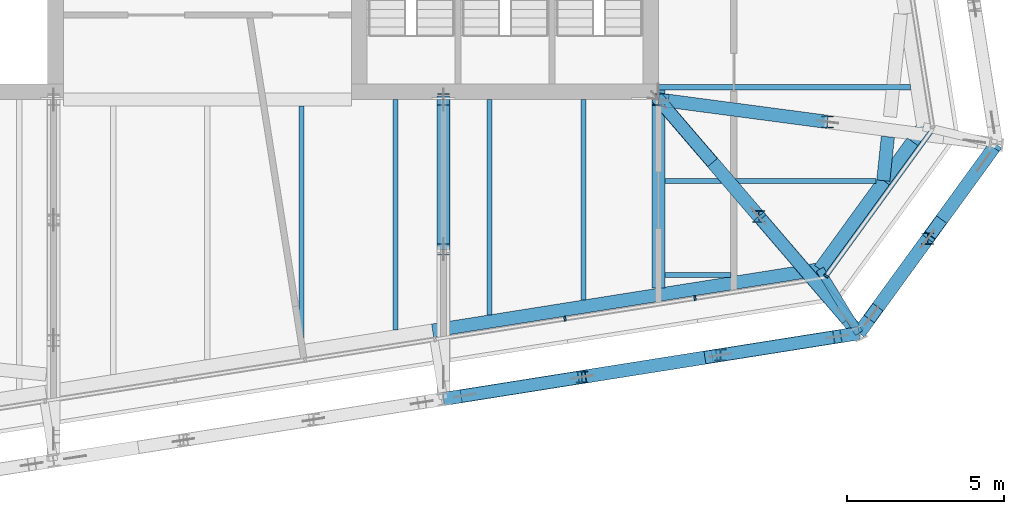
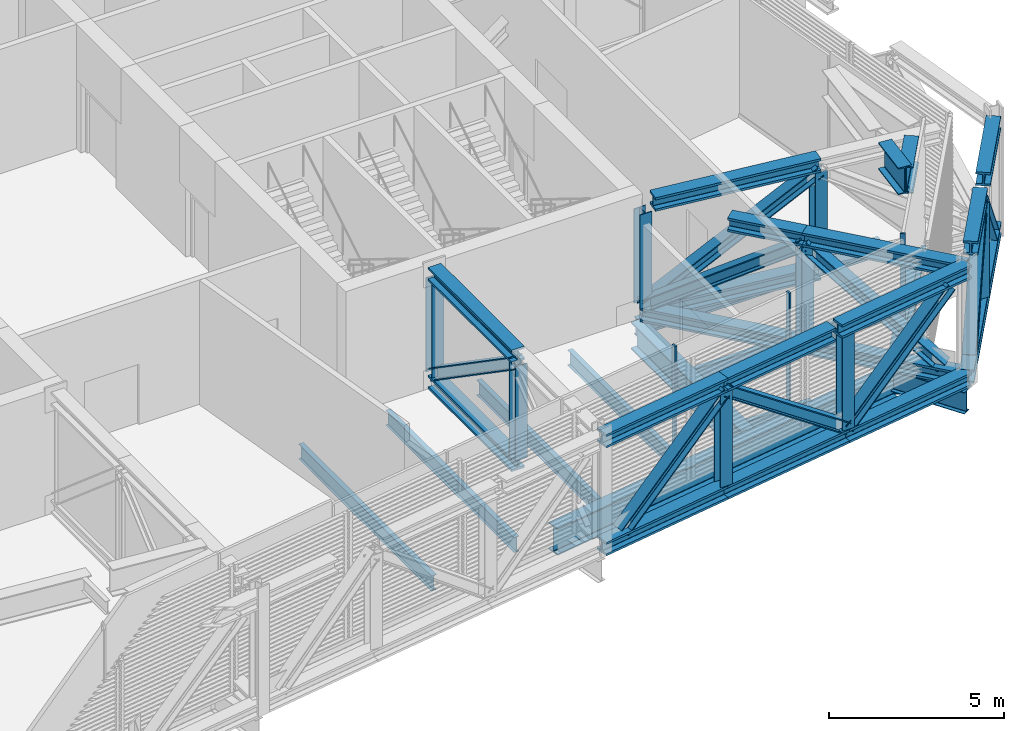
# One storey, part 9 of 32: 31 beams, 21 members, 2 elements without a shape of their own.
"""IFC4 building model written with IfcOpenShell, lengths in metres."""

from ifc_helpers import new_model, si_unit, direction, frame, origin, origin_2d, place, context, subcontext, project, spatial, rectangle, i_section, extrude, material, layer, layer_set, material_profile, profile_set, type_object, element, aggregate, save


model = new_model("IFC4")

# Units and contexts
model_context = context("Model", 3, precision=1e-05, world=origin(), true_north=direction((0.0, 1.0)))
body_context = subcontext(model_context, "Body", "Model", "MODEL_VIEW")
ifc_project = project(units=[si_unit("LENGTHUNIT", "METRE"), si_unit("AREAUNIT", "SQUARE_METRE"), si_unit("VOLUMEUNIT", "CUBIC_METRE"), si_unit("PLANEANGLEUNIT", "RADIAN"), si_unit("MASSUNIT", "GRAM", prefix="KILO")], contexts=[model_context])

# Site, building, storey
site_placement = place(None, origin())
site = spatial("IfcSite", under=ifc_project, at=site_placement, CompositionType="ELEMENT")
building_placement = place(site_placement, origin())
building = spatial("IfcBuilding", under=site, at=building_placement, Name="Millrace Tower", CompositionType="ELEMENT")
storey_placement = place(building_placement, frame((0.0, 0.0, 266.89990234375)))
storey = spatial("IfcBuildingStorey", under=building, at=storey_placement, Name="L61", CompositionType="ELEMENT", Elevation=266.89990234375)

# Beams
ifc_material_1 = material(Name="Steel ASTM A992 Grade 50", Category="steel")
ifc_material_profile_1 = material_profile(ifc_material_1, i_section(OverallWidth=0.424072265625, OverallDepth=0.47509765625, WebThickness=0.0478515625, FlangeThickness=0.0771484375, FilletRadius=0.014892578125, at=origin_2d()))
ifc_profile_set_1 = profile_set([ifc_material_profile_1], Name="Steel ASTM A992 Grade 50")
beam_type_1 = type_object("IfcBeamType", Name="Belt truss chord W14x426", PredefinedType="BEAM", material=ifc_profile_set_1)
for number, where, z_axis, x_axis, name in (
    (1, (7.533203125, -18.956787109375, 0.237548828125), (0.987681461746, 0.156477890206, 0.0), (-0.156477890206, 0.987681461746, 0.0), "BLT-L61-R04-B01"),
    (2, (7.533203125, -18.956787109375, 4.002685546875), (0.987681461746, 0.156477890206, 0.0), (-0.156477890206, 0.987681461746, 0.0), "BLT-L61-R04-T01"),
):
    element("IfcBeam", number, at=place(storey_placement, frame(where, z_axis=z_axis, x_axis=x_axis)), inside=storey, type_object=beam_type_1, Name=name, PredefinedType="BEAM", context=body_context, shape_type="SweptSolid", body=[
        extrude(i_section(OverallWidth=0.424072265625, OverallDepth=0.47509765625, WebThickness=0.0478515625, FlangeThickness=0.0771484375, FilletRadius=0.014892578125, at=origin_2d()), origin(), (0.0, 0.0, 1.0), 4.476318359375),
    ])
beam_1_placement = place(storey_placement, frame((11.954345703125, -18.25634765625, 0.237548828125), z_axis=(0.987688555037, 0.156433111103, 0.0), x_axis=(-0.156433111103, 0.987688555037, 0.0)))
element("IfcBeam", 3, at=beam_1_placement, inside=storey, type_object=beam_type_1, Name="BLT-L61-R04-B02", PredefinedType="BEAM", context=body_context, shape_type="SweptSolid", body=[
    extrude(i_section(OverallWidth=0.424072265625, OverallDepth=0.47509765625, WebThickness=0.0478515625, FlangeThickness=0.0771484375, FilletRadius=0.014892578125, at=origin_2d()), origin(), (0.0, 0.0, 1.0), 4.47607421875),
])
beam_2_placement = place(storey_placement, frame((16.375244140625, -17.55615234375, 0.237548828125), z_axis=(0.9876898897, 0.156424684061, 0.0), x_axis=(-0.156424684061, 0.9876898897, 0.0)))
element("IfcBeam", 4, at=beam_2_placement, inside=storey, type_object=beam_type_1, Name="BLT-L61-R04-B03", PredefinedType="BEAM", context=body_context, shape_type="SweptSolid", body=[
    extrude(i_section(OverallWidth=0.424072265625, OverallDepth=0.47509765625, WebThickness=0.0478515625, FlangeThickness=0.0771484375, FilletRadius=0.014892578125, at=origin_2d()), origin(), (0.0, 0.0, 1.0), 4.476318359375),
])
beam_3_placement = place(storey_placement, frame((16.102783203125, -17.599365234375, 4.002685546875), z_axis=(0.987687871185, 0.156437428752, 0.0), x_axis=(-0.156437428752, 0.987687871185, 0.0)))
element("IfcBeam", 5, at=beam_3_placement, inside=storey, type_object=beam_type_1, Name="BLT-L61-R04-T03", PredefinedType="BEAM", context=body_context, shape_type="SweptSolid", body=[
    extrude(i_section(OverallWidth=0.424072265625, OverallDepth=0.47509765625, WebThickness=0.0478515625, FlangeThickness=0.0771484375, FilletRadius=0.014892578125, at=origin_2d()), origin(), (0.0, 0.0, 1.0), 4.752197265625),
])
for number, where, z_axis, x_axis, name in (
    (6, (20.79638671875, -16.85595703125, 0.237548828125), (0.587774393355, 0.809024883744, 0.0), (-0.809024883744, 0.587774393355, 0.0), "BLT-L61-R05-B01"),
    (7, (22.9873046875, -13.84033203125, 0.237548828125), (0.587817260373, 0.808993738176, 0.0), (-0.808993738176, 0.587817260373, 0.0), "BLT-L61-R05-B02"),
):
    element("IfcBeam", number, at=place(storey_placement, frame(where, z_axis=z_axis, x_axis=x_axis)), inside=storey, type_object=beam_type_1, Name=name, PredefinedType="BEAM", context=body_context, shape_type="SweptSolid", body=[
        extrude(i_section(OverallWidth=0.424072265625, OverallDepth=0.47509765625, WebThickness=0.0478515625, FlangeThickness=0.0771484375, FilletRadius=0.014892578125, at=origin_2d()), origin(), (0.0, 0.0, 1.0), 3.7275390625),
    ])
beam_4_placement = place(storey_placement, frame((11.954345703125, -18.25634765625, 4.002685546875), z_axis=(0.987691630834, 0.156413689874, 0.0), x_axis=(-0.156413689874, 0.987691630834, 0.0)))
element("IfcBeam", 8, at=beam_4_placement, inside=storey, type_object=beam_type_1, Name="BLT-L61-R04-T02", PredefinedType="BEAM", context=body_context, shape_type="SweptSolid", body=[
    extrude(i_section(OverallWidth=0.424072265625, OverallDepth=0.47509765625, WebThickness=0.0478515625, FlangeThickness=0.0771484375, FilletRadius=0.014892578125, at=origin_2d()), origin(), (0.0, 0.0, 1.0), 3.973876953125),
])
beam_5_placement = place(storey_placement, frame((21.401123046875, -16.023681640625, 4.002685546875), z_axis=(0.58775743308, 0.809037205485, 0.0), x_axis=(-0.809037205485, 0.58775743308, 0.0)))
element("IfcBeam", 9, at=beam_5_placement, inside=storey, type_object=beam_type_1, Name="BLT-L61-R05-T01", PredefinedType="BEAM", context=body_context, shape_type="SweptSolid", body=[
    extrude(i_section(OverallWidth=0.424072265625, OverallDepth=0.47509765625, WebThickness=0.0478515625, FlangeThickness=0.0771484375, FilletRadius=0.014892578125, at=origin_2d()), origin(), (0.0, 0.0, 1.0), 2.69873046875),
])
beam_6_placement = place(storey_placement, frame((23.431884765625, -13.228515625, 4.002685546875), z_axis=(0.587793188732, 0.809011228155, 0.0), x_axis=(-0.809011228155, 0.587793188732, 0.0)))
element("IfcBeam", 10, at=beam_6_placement, inside=storey, type_object=beam_type_1, Name="BLT-L61-R05-T02", PredefinedType="BEAM", context=body_context, shape_type="SweptSolid", body=[
    extrude(i_section(OverallWidth=0.424072265625, OverallDepth=0.47509765625, WebThickness=0.0478515625, FlangeThickness=0.0771484375, FilletRadius=0.014892578125, at=origin_2d()), origin(), (0.0, 0.0, 1.0), 2.838623046875),
])

# Members
ifc_material_2 = material(Name="Steel ASTM A992 Grade 50", Category="steel")
ifc_material_profile_2 = material_profile(ifc_material_2, i_section(OverallWidth=0.398681640625, OverallDepth=0.385986328125, WebThickness=0.02099609375, FlangeThickness=0.033203125, FilletRadius=0.01513671875, at=origin_2d()))
ifc_profile_set_2 = profile_set([ifc_material_profile_2], Name="Steel ASTM A992 Grade 50")
member_type_1 = type_object("IfcMemberType", Name="Belt truss diagonal W14x176", PredefinedType="BRACE", material=ifc_profile_set_2)
member_1_placement = place(storey_placement, frame((8.224609375, -18.84716796875, 0.47509765625), z_axis=(0.744691898166, 0.117965202171, 0.656900439856), x_axis=(-0.156457227145, 0.987684735163, 0.0)))
element("IfcMember", 11, at=member_1_placement, inside=storey, type_object=member_type_1, Name="BLT-L61-R04-D01", PredefinedType="BRACE", context=body_context, shape_type="SweptSolid", body=[
    extrude(i_section(OverallWidth=0.398681640625, OverallDepth=0.385986328125, WebThickness=0.02099609375, FlangeThickness=0.033203125, FilletRadius=0.01513671875, at=origin_2d()), origin(), (0.0, 0.0, 1.0), 5.008544921875),
])
member_2_placement = place(storey_placement, frame((16.375244140625, -17.55615234375, 0.47509765625), z_axis=(-0.795829072017, -0.126045823865, 0.59225715565), x_axis=(0.156433111103, -0.987688555037, 0.0)))
element("IfcMember", 12, at=member_2_placement, inside=storey, type_object=member_type_1, Name="BLT-L61-R04-D02", PredefinedType="BRACE", context=body_context, shape_type="SweptSolid", body=[
    extrude(i_section(OverallWidth=0.398681640625, OverallDepth=0.385986328125, WebThickness=0.02099609375, FlangeThickness=0.033203125, FilletRadius=0.01513671875, at=origin_2d()), origin(), (0.0, 0.0, 1.0), 5.55517578125),
])
member_3_placement = place(storey_placement, frame((16.375244140625, -17.55615234375, 0.47509765625), z_axis=(0.744696179539, 0.117917134143, 0.6569042165), x_axis=(-0.156394157043, 0.987694723912, 0.0)))
element("IfcMember", 13, at=member_3_placement, inside=storey, type_object=member_type_1, Name="BLT-L61-R04-D03", PredefinedType="BRACE", context=body_context, shape_type="SweptSolid", body=[
    extrude(i_section(OverallWidth=0.398681640625, OverallDepth=0.385986328125, WebThickness=0.02099609375, FlangeThickness=0.033203125, FilletRadius=0.01513671875, at=origin_2d()), origin(), (0.0, 0.0, 1.0), 5.00830078125),
])
for number, where, z_axis, x_axis, name in (
    (14, (21.207763671875, -16.289794921875, 0.47509765625), (0.398007112135, 0.547839944581, 0.735840834564), (-0.809032377573, 0.587764078554, 0.0), "BLT-L61-R05-D01"),
    (15, (24.766845703125, -11.390869140625, 0.47509765625), (-0.398007112135, -0.547839944581, 0.735840834564), (0.809032377573, -0.587764078554, 0.0), "BLT-L61-R05-D02"),
):
    element("IfcMember", number, at=place(storey_placement, frame(where, z_axis=z_axis, x_axis=x_axis)), inside=storey, type_object=member_type_1, Name=name, PredefinedType="BRACE", context=body_context, shape_type="SweptSolid", body=[
        extrude(i_section(OverallWidth=0.398681640625, OverallDepth=0.385986328125, WebThickness=0.02099609375, FlangeThickness=0.033203125, FilletRadius=0.01513671875, at=origin_2d()), origin(), (0.0, 0.0, 1.0), 4.47119140625),
    ])
ifc_material_3 = material(Name="Steel ASTM A992 Grade 50", Category="steel")
ifc_material_profile_3 = material_profile(ifc_material_3, i_section(OverallWidth=0.393798828125, OverallDepth=0.3759765625, WebThickness=0.017333984375, FlangeThickness=0.027587890625, FilletRadius=0.01513671875, at=origin_2d()))
ifc_profile_set_3 = profile_set([ifc_material_profile_3], Name="Steel ASTM A992 Grade 50")
member_type_2 = type_object("IfcMemberType", Name="Belt truss post W14x145", PredefinedType="POST", material=ifc_profile_set_3)
for number, where, z_axis, x_axis, name in (
    (16, (11.954345703125, -18.25634765625, 0.47509765625), (0.0, 0.0, 1.0), (1.0, 0.0, 0.0), "BLT-L61-R04-V01"),
    (17, (16.375244140625, -17.55615234375, 0.47509765625), (0.0, 0.0, 1.0), (1.0, 0.0, 0.0), "BLT-L61-R04-V02"),
    (18, (22.9873046875, -13.84033203125, 0.47509765625), (0.0, 0.0, 1.0), (1.0, 0.0, 0.0), "BLT-L61-R05-V01"),
):
    element("IfcMember", number, at=place(storey_placement, frame(where, z_axis=z_axis, x_axis=x_axis)), inside=storey, type_object=member_type_2, Name=name, PredefinedType="POST", context=body_context, shape_type="SweptSolid", body=[
        extrude(i_section(OverallWidth=0.393798828125, OverallDepth=0.3759765625, WebThickness=0.017333984375, FlangeThickness=0.027587890625, FilletRadius=0.01513671875, at=origin_2d()), origin(), (0.0, 0.0, 1.0), 3.2900390625),
    ])

# Curtain wall, members
ifc_material_4 = material(Name="Aluminium and glass", Category="aluminium")
ifc_layer = layer(ifc_material_4, 0.14990234375)
ifc_layer_set = layer_set([ifc_layer], Name="Aluminium and glass")
curtain_wall_type = type_object("IfcCurtainWallType", Name="CW-5 truss and plant storey louvred infill", PredefinedType="NOTDEFINED", material=ifc_layer_set)
placement = place(storey_placement, origin())
curtain_wall_1 = element("IfcCurtainWall", 19, at=placement, inside=storey, type_object=curtain_wall_type, Name="Curtain wall D-F02 L61", PredefinedType="NOTDEFINED")
ifc_material_5 = material(Name="Aluminium", Category="aluminium")
ifc_material_profile_4 = material_profile(ifc_material_5, rectangle(XDim=0.06494140625, YDim=0.14990234375, at=origin_2d()))
ifc_profile_set_4 = profile_set([ifc_material_profile_4], Name="Aluminium")
member_type_3 = type_object("IfcMemberType", Name="CW-5 truss and plant storey louvred infill mullion", PredefinedType="MULLION", material=ifc_profile_set_4)
member_4_placement = place(storey_placement, frame((11.41259765625, -16.393310546875, 0.14013671875), z_axis=(0.0, 0.0, 1.0), x_axis=(0.987688339511, 0.156434471884, 0.0)))
member_4 = element("IfcMember", 20, at=member_4_placement, type_object=member_type_3, Name="CW5 mullion D-F02.8", PredefinedType="MULLION", context=body_context, shape_type="SweptSolid", body=[
    extrude(rectangle(XDim=0.06494140625, YDim=0.14990234375, at=origin_2d()), origin(), (0.0, 0.0, 1.0), 4.199951171875),
])
member_5_placement = place(storey_placement, frame((15.560791015625, -15.736328125, 0.14013671875), z_axis=(0.0, 0.0, 1.0), x_axis=(0.987688339511, 0.156434471884, 0.0)))
member_5 = element("IfcMember", 21, at=member_5_placement, type_object=member_type_3, Name="CW5 mullion D-F02.9", PredefinedType="MULLION", context=body_context, shape_type="SweptSolid", body=[
    extrude(rectangle(XDim=0.06494140625, YDim=0.14990234375, at=origin_2d()), origin(), (0.0, 0.0, 1.0), 4.199951171875),
])
aggregate(curtain_wall_1, [member_4, member_5])

curtain_wall_2 = element("IfcCurtainWall", 22, at=placement, inside=storey, type_object=curtain_wall_type, Name="Curtain wall D-F03 L61", PredefinedType="NOTDEFINED")
member_6_placement = place(storey_placement, frame((19.7451171875, -15.028076171875, 0.14013671875), z_axis=(0.0, 0.0, 1.0), x_axis=(0.587785305991, 0.809016955361, 0.0)))
member_6 = element("IfcMember", 23, at=member_6_placement, type_object=member_type_3, Name="CW5 mullion D-F03.1", PredefinedType="MULLION", context=body_context, shape_type="SweptSolid", body=[
    extrude(rectangle(XDim=0.06494140625, YDim=0.14990234375, at=origin_2d()), origin(), (0.0, 0.0, 1.0), 4.35986328125),
])
ifc_material_6 = material(Name="Aluminium", Category="aluminium")
ifc_material_profile_5 = material_profile(ifc_material_6, rectangle(XDim=0.14990234375, YDim=0.139892578125, at=origin_2d()))
ifc_profile_set_5 = profile_set([ifc_material_profile_5], Name="Aluminium")
member_type_4 = type_object("IfcMemberType", Name="CW-5 truss and plant storey louvred infill transom", PredefinedType="USERDEFINED", material=ifc_profile_set_5)
member_7_placement = place(storey_placement, frame((19.78466796875, -14.973388671875, 0.070068359375), z_axis=(0.587811213399, 0.808998131891, 0.0), x_axis=(-0.808998131891, 0.587811213399, 0.0)))
member_7 = element("IfcMember", 24, at=member_7_placement, type_object=member_type_4, Name="CW5 transom D-F03.1", ObjectType="TRANSOM", PredefinedType="USERDEFINED", context=body_context, shape_type="SweptSolid", body=[
    extrude(rectangle(XDim=0.14990234375, YDim=0.139892578125, at=origin_2d()), origin(), (0.0, 0.0, 1.0), 5.598388671875),
])
aggregate(curtain_wall_2, [member_6, member_7])

# Beams
ifc_material_7 = material(Name="Steel ASTM A992 Grade 50", Category="steel")
ifc_material_profile_6 = material_profile(ifc_material_7, i_section(OverallWidth=0.15234375, OverallDepth=0.449462890625, WebThickness=0.007568359375, FlangeThickness=0.0107421875, FilletRadius=0.01025390625, at=origin_2d()))
ifc_profile_set_6 = profile_set([ifc_material_profile_6], Name="Steel ASTM A992 Grade 50")
beam_type_2 = type_object("IfcBeamType", Name="Floor beam W18x35", PredefinedType="JOIST", material=ifc_profile_set_6)
beam_7_placement = place(storey_placement, frame((14.612060546875, -15.0, -0.474609375), z_axis=(1.0, 0.0, 0.0), x_axis=(0.0, 1.0, 0.0)))
element("IfcBeam", 25, at=beam_7_placement, inside=storey, type_object=beam_type_2, Name="BM-D-L61-S1-S003", PredefinedType="JOIST", context=body_context, shape_type="SweptSolid", body=[
    extrude(i_section(OverallWidth=0.15234375, OverallDepth=0.449462890625, WebThickness=0.007568359375, FlangeThickness=0.0107421875, FilletRadius=0.01025390625, at=origin_2d()), origin(), (0.0, 0.0, 1.0), 2.1064453125),
])
ifc_material_8 = material(Name="Steel ASTM A992 Grade 50", Category="steel")
ifc_material_profile_7 = material_profile(ifc_material_8, i_section(OverallWidth=0.1650390625, OverallDepth=0.52587890625, WebThickness=0.0087890625, FlangeThickness=0.011474609375, FilletRadius=0.0126953125, at=origin_2d()))
ifc_profile_set_7 = profile_set([ifc_material_profile_7], Name="Steel ASTM A992 Grade 50")
beam_type_3 = type_object("IfcBeamType", Name="Floor beam W21x44", PredefinedType="JOIST", material=ifc_profile_set_7)
beam_8_placement = place(storey_placement, frame((14.612060546875, -12.0, -0.5126953125), z_axis=(1.0, 0.0, 0.0), x_axis=(0.0, 1.0, 0.0)))
element("IfcBeam", 26, at=beam_8_placement, inside=storey, type_object=beam_type_3, Name="BM-D-L61-S1-S005", PredefinedType="JOIST", context=body_context, shape_type="SweptSolid", body=[
    extrude(i_section(OverallWidth=0.1650390625, OverallDepth=0.52587890625, WebThickness=0.0087890625, FlangeThickness=0.011474609375, FilletRadius=0.0126953125, at=origin_2d()), origin(), (0.0, 0.0, 1.0), 6.71923828125),
])
beam_9_placement = place(storey_placement, frame((3.0, -17.222900390625, -0.5126953125), z_axis=(0.0, 1.0, 0.0), x_axis=(-1.0, 0.0, 0.0)))
element("IfcBeam", 27, at=beam_9_placement, inside=storey, type_object=beam_type_3, Name="BM-D-L61-S1-S047", PredefinedType="JOIST", context=body_context, shape_type="SweptSolid", body=[
    extrude(i_section(OverallWidth=0.1650390625, OverallDepth=0.52587890625, WebThickness=0.0087890625, FlangeThickness=0.011474609375, FilletRadius=0.0126953125, at=origin_2d()), origin(), (0.0, 0.0, 1.0), 7.61083984375),
])
beam_10_placement = place(storey_placement, frame((6.0, -16.747802734375, -0.5126953125), z_axis=(0.0, 1.0, 0.0), x_axis=(-1.0, 0.0, 0.0)))
element("IfcBeam", 28, at=beam_10_placement, inside=storey, type_object=beam_type_3, Name="BM-D-L61-S1-S049", PredefinedType="JOIST", context=body_context, shape_type="SweptSolid", body=[
    extrude(i_section(OverallWidth=0.1650390625, OverallDepth=0.52587890625, WebThickness=0.0087890625, FlangeThickness=0.011474609375, FilletRadius=0.0126953125, at=origin_2d()), origin(), (0.0, 0.0, 1.0), 7.347900390625),
])
beam_11_placement = place(storey_placement, frame((9.0, -16.2724609375, -0.5126953125), z_axis=(0.0, 1.0, 0.0), x_axis=(-1.0, 0.0, 0.0)))
element("IfcBeam", 29, at=beam_11_placement, inside=storey, type_object=beam_type_3, Name="BM-D-L61-S1-S051", PredefinedType="JOIST", context=body_context, shape_type="SweptSolid", body=[
    extrude(i_section(OverallWidth=0.1650390625, OverallDepth=0.52587890625, WebThickness=0.0087890625, FlangeThickness=0.011474609375, FilletRadius=0.0126953125, at=origin_2d()), origin(), (0.0, 0.0, 1.0), 6.87255859375),
])
beam_12_placement = place(storey_placement, frame((12.0, -15.79736328125, -0.5126953125), z_axis=(0.0, 1.0, 0.0), x_axis=(-1.0, 0.0, 0.0)))
element("IfcBeam", 30, at=beam_12_placement, inside=storey, type_object=beam_type_3, Name="BM-D-L61-S1-S053", PredefinedType="JOIST", context=body_context, shape_type="SweptSolid", body=[
    extrude(i_section(OverallWidth=0.1650390625, OverallDepth=0.52587890625, WebThickness=0.0087890625, FlangeThickness=0.011474609375, FilletRadius=0.0126953125, at=origin_2d()), origin(), (0.0, 0.0, 1.0), 6.3974609375),
])
ifc_material_9 = material(Name="Steel ASTM A992 Grade 50", Category="steel")
ifc_material_profile_8 = material_profile(ifc_material_9, i_section(OverallWidth=0.177978515625, OverallDepth=0.599365234375, WebThickness=0.010009765625, FlangeThickness=0.012939453125, FilletRadius=0.012939453125, at=origin_2d()))
ifc_profile_set_8 = profile_set([ifc_material_profile_8], Name="Steel ASTM A992 Grade 50")
beam_type_4 = type_object("IfcBeamType", Name="Floor beam W24x55", PredefinedType="JOIST", material=ifc_profile_set_8)
beam_13_placement = place(storey_placement, frame((14.39990234375, -9.0, -0.549560546875), z_axis=(1.0, 0.0, 0.0), x_axis=(0.0, 1.0, 0.0)))
element("IfcBeam", 31, at=beam_13_placement, inside=storey, type_object=beam_type_4, Name="BM-D-L61-S1-S007", PredefinedType="JOIST", context=body_context, shape_type="SweptSolid", body=[
    extrude(i_section(OverallWidth=0.177978515625, OverallDepth=0.599365234375, WebThickness=0.010009765625, FlangeThickness=0.012939453125, FilletRadius=0.012939453125, at=origin_2d()), origin(), (0.0, 0.0, 1.0), 8.03759765625),
])
ifc_material_10 = material(Name="Steel ASTM A992 Grade 50", Category="steel")
ifc_material_profile_9 = material_profile(ifc_material_10, i_section(OverallWidth=0.424072265625, OverallDepth=0.947509765625, WebThickness=0.02392578125, FlangeThickness=0.042724609375, FilletRadius=0.024169921875, at=origin_2d()))
ifc_profile_set_9 = profile_set([ifc_material_profile_9], Name="Steel ASTM A992 Grade 50")
beam_type_5 = type_object("IfcBeamType", Name="Girder short span W36x302", PredefinedType="BEAM", material=ifc_profile_set_9)
beam_14_placement = place(storey_placement, frame((14.39990234375, -15.4091796875, -0.7236328125), z_axis=(0.0, 1.0, 0.0), x_axis=(-1.0, 0.0, 0.0)))
element("IfcBeam", 32, at=beam_14_placement, inside=storey, type_object=beam_type_5, Name="BM-D-L61-S1-G057", PredefinedType="BEAM", context=body_context, shape_type="SweptSolid", body=[
    extrude(i_section(OverallWidth=0.424072265625, OverallDepth=0.947509765625, WebThickness=0.02392578125, FlangeThickness=0.042724609375, FilletRadius=0.024169921875, at=origin_2d()), origin(), (0.0, 0.0, 1.0), 6.317138671875),
])
ifc_material_11 = material(Name="Steel ASTM A992 Grade 50", Category="steel")
ifc_material_profile_10 = material_profile(ifc_material_11, i_section(OverallWidth=0.2666015625, OverallDepth=0.7568359375, WebThickness=0.013916015625, FlangeThickness=0.019287109375, FilletRadius=0.0166015625, at=origin_2d()))
ifc_profile_set_10 = profile_set([ifc_material_profile_10], Name="Steel ASTM A992 Grade 50")
beam_type_6 = type_object("IfcBeamType", Name="Link beam W30x108", PredefinedType="BEAM", material=ifc_profile_set_10)
beam_15_placement = place(storey_placement, frame((19.546142578125, -14.815673828125, -0.62841796875), z_axis=(0.522485496218, -0.852648172602, 0.0), x_axis=(0.852648172602, 0.522485496218, 0.0)))
element("IfcBeam", 33, at=beam_15_placement, inside=storey, type_object=beam_type_6, Name="LNK-D-L61-S1-13", PredefinedType="BEAM", context=body_context, shape_type="SweptSolid", body=[
    extrude(i_section(OverallWidth=0.2666015625, OverallDepth=0.7568359375, WebThickness=0.013916015625, FlangeThickness=0.019287109375, FilletRadius=0.0166015625, at=origin_2d()), origin(), (0.0, 0.0, 1.0), 2.392822265625),
])
ifc_material_12 = material(Name="Steel ASTM A992 Grade 50", Category="steel")
ifc_material_profile_11 = material_profile(ifc_material_12, i_section(OverallWidth=0.424072265625, OverallDepth=0.47509765625, WebThickness=0.0478515625, FlangeThickness=0.0771484375, FilletRadius=0.014892578125, at=origin_2d()))
ifc_profile_set_11 = profile_set([ifc_material_profile_11], Name="Steel ASTM A992 Grade 50")
beam_type_7 = type_object("IfcBeamType", Name="Outrigger truss chord W14x426", PredefinedType="BEAM", material=ifc_profile_set_11)
for number, where, z_axis, x_axis, name in (
    (34, (7.533203125, -9.39990234375, 0.237548828125), (0.0, -1.0, 0.0), (1.0, 0.0, 0.0), "BLT-L61-O04-B01"),
    (35, (7.533203125, -9.39990234375, 4.002685546875), (0.0, -1.0, 0.0), (1.0, 0.0, 0.0), "BLT-L61-O04-T01"),
):
    element("IfcBeam", number, at=place(storey_placement, frame(where, z_axis=z_axis, x_axis=x_axis)), inside=storey, type_object=beam_type_7, Name=name, PredefinedType="BEAM", context=body_context, shape_type="SweptSolid", body=[
        extrude(i_section(OverallWidth=0.424072265625, OverallDepth=0.47509765625, WebThickness=0.0478515625, FlangeThickness=0.0771484375, FilletRadius=0.014892578125, at=origin_2d()), origin(), (0.0, 0.0, 1.0), 4.7783203125),
    ])
for number, where, z_axis, x_axis, name in (
    (36, (14.39990234375, -9.39990234375, 0.237548828125), (0.651118772752, -0.758975851902, 0.0), (0.758975851902, 0.651118772752, 0.0), "BLT-L61-O05-B01"),
    (37, (17.59814453125, -13.1279296875, 0.237548828125), (0.651118772752, -0.758975851902, 0.0), (0.758975851902, 0.651118772752, 0.0), "BLT-L61-O05-B02"),
    (38, (17.59814453125, -13.1279296875, 4.002685546875), (0.651118772752, -0.758975851902, 0.0), (0.758975851902, 0.651118772752, 0.0), "BLT-L61-O05-T02"),
):
    element("IfcBeam", number, at=place(storey_placement, frame(where, z_axis=z_axis, x_axis=x_axis)), inside=storey, type_object=beam_type_7, Name=name, PredefinedType="BEAM", context=body_context, shape_type="SweptSolid", body=[
        extrude(i_section(OverallWidth=0.424072265625, OverallDepth=0.47509765625, WebThickness=0.0478515625, FlangeThickness=0.0771484375, FilletRadius=0.014892578125, at=origin_2d()), origin(), (0.0, 0.0, 1.0), 4.911865234375),
    ])
beam_16_placement = place(storey_placement, frame((14.39990234375, -9.39990234375, 0.237548828125), z_axis=(0.991376314871, -0.131045802346, 0.0), x_axis=(0.131045802346, 0.991376314871, 0.0)))
element("IfcBeam", 39, at=beam_16_placement, inside=storey, type_object=beam_type_7, Name="BLT-L61-O06-B01", PredefinedType="BEAM", context=body_context, shape_type="SweptSolid", body=[
    extrude(i_section(OverallWidth=0.424072265625, OverallDepth=0.47509765625, WebThickness=0.0478515625, FlangeThickness=0.0771484375, FilletRadius=0.014892578125, at=origin_2d()), origin(), (0.0, 0.0, 1.0), 5.436279296875),
])
beam_17_placement = place(storey_placement, frame((14.706787109375, -9.4404296875, 4.002685546875), z_axis=(0.991375340662, -0.131053172135, 0.0), x_axis=(0.131053172135, 0.991375340662, 0.0)))
element("IfcBeam", 40, at=beam_17_placement, inside=storey, type_object=beam_type_7, Name="BLT-L61-O06-T01", PredefinedType="BEAM", context=body_context, shape_type="SweptSolid", body=[
    extrude(i_section(OverallWidth=0.424072265625, OverallDepth=0.47509765625, WebThickness=0.0478515625, FlangeThickness=0.0771484375, FilletRadius=0.014892578125, at=origin_2d()), origin(), (0.0, 0.0, 1.0), 5.126708984375),
])
beam_18_placement = place(storey_placement, frame((16.122314453125, -11.40771484375, 4.002685546875), z_axis=(0.651137261179, -0.75895999045, 0.0), x_axis=(0.75895999045, 0.651137261179, 0.0)))
element("IfcBeam", 41, at=beam_18_placement, inside=storey, type_object=beam_type_7, Name="BLT-L61-O05-T01", PredefinedType="BEAM", context=body_context, shape_type="SweptSolid", body=[
    extrude(i_section(OverallWidth=0.424072265625, OverallDepth=0.47509765625, WebThickness=0.0478515625, FlangeThickness=0.0771484375, FilletRadius=0.014892578125, at=origin_2d()), origin(), (0.0, 0.0, 1.0), 2.2666015625),
])

# Members
ifc_material_13 = material(Name="Steel ASTM A992 Grade 50", Category="steel")
ifc_material_profile_12 = material_profile(ifc_material_13, i_section(OverallWidth=0.398681640625, OverallDepth=0.385986328125, WebThickness=0.02099609375, FlangeThickness=0.033203125, FilletRadius=0.01513671875, at=origin_2d()))
ifc_profile_set_12 = profile_set([ifc_material_profile_12], Name="Steel ASTM A992 Grade 50")
member_type_5 = type_object("IfcMemberType", Name="Outrigger truss diagonal W14x176", PredefinedType="BRACE", material=ifc_profile_set_12)
member_8_placement = place(storey_placement, frame((7.533203125, -9.39990234375, 0.47509765625), z_axis=(0.0, -0.823643888192, 0.567107349135), x_axis=(1.0, 0.0, 0.0)))
element("IfcMember", 42, at=member_8_placement, inside=storey, type_object=member_type_5, Name="BLT-L61-O04-D01", PredefinedType="BRACE", context=body_context, shape_type="SweptSolid", body=[
    extrude(i_section(OverallWidth=0.398681640625, OverallDepth=0.385986328125, WebThickness=0.02099609375, FlangeThickness=0.033203125, FilletRadius=0.01513671875, at=origin_2d()), origin(), (0.0, 0.0, 1.0), 5.801513671875),
])
member_9_placement = place(storey_placement, frame((14.39990234375, -9.39990234375, 0.47509765625), z_axis=(0.540978111176, -0.630590515852, 0.556505421848), x_axis=(0.758975851902, 0.651118772752, 0.0)))
element("IfcMember", 43, at=member_9_placement, inside=storey, type_object=member_type_5, Name="BLT-L61-O05-D01", PredefinedType="BRACE", context=body_context, shape_type="SweptSolid", body=[
    extrude(i_section(OverallWidth=0.398681640625, OverallDepth=0.385986328125, WebThickness=0.02099609375, FlangeThickness=0.033203125, FilletRadius=0.01513671875, at=origin_2d()), origin(), (0.0, 0.0, 1.0), 5.911865234375),
])
member_10_placement = place(storey_placement, frame((20.340576171875, -16.32470703125, 0.47509765625), z_axis=(-0.513122640039, 0.598132987507, 0.615582720303), x_axis=(-0.758982398737, -0.651111141363, 0.0)))
element("IfcMember", 44, at=member_10_placement, inside=storey, type_object=member_type_5, Name="BLT-L61-O05-D02", PredefinedType="BRACE", context=body_context, shape_type="SweptSolid", body=[
    extrude(i_section(OverallWidth=0.398681640625, OverallDepth=0.385986328125, WebThickness=0.02099609375, FlangeThickness=0.033203125, FilletRadius=0.01513671875, at=origin_2d()), origin(), (0.0, 0.0, 1.0), 5.344482421875),
])
member_11_placement = place(storey_placement, frame((14.39990234375, -9.39990234375, 0.47509765625), z_axis=(0.848146291309, -0.112112837057, 0.51776305421), x_axis=(0.131045802346, 0.991376314871, 0.0)))
element("IfcMember", 45, at=member_11_placement, inside=storey, type_object=member_type_5, Name="BLT-L61-O06-D01", PredefinedType="BRACE", context=body_context, shape_type="SweptSolid", body=[
    extrude(i_section(OverallWidth=0.398681640625, OverallDepth=0.385986328125, WebThickness=0.02099609375, FlangeThickness=0.033203125, FilletRadius=0.01513671875, at=origin_2d()), origin(), (0.0, 0.0, 1.0), 6.354248046875),
])
ifc_material_14 = material(Name="Steel ASTM A992 Grade 50", Category="steel")
ifc_material_profile_13 = material_profile(ifc_material_14, i_section(OverallWidth=0.393798828125, OverallDepth=0.3759765625, WebThickness=0.017333984375, FlangeThickness=0.027587890625, FilletRadius=0.01513671875, at=origin_2d()))
ifc_profile_set_13 = profile_set([ifc_material_profile_13], Name="Steel ASTM A992 Grade 50")
member_type_6 = type_object("IfcMemberType", Name="Outrigger truss post W14x145", PredefinedType="POST", material=ifc_profile_set_13)
for number, where, z_axis, x_axis, name in (
    (46, (7.533203125, -9.39990234375, 0.47509765625), (0.0, 0.0, 1.0), (1.0, 0.0, 0.0), "BLT-L61-O04-V00"),
    (47, (7.533203125, -14.17822265625, 0.47509765625), (0.0, 0.0, 1.0), (1.0, 0.0, 0.0), "BLT-L61-O04-V01"),
    (48, (14.39990234375, -9.39990234375, 0.47509765625), (0.0, 0.0, 1.0), (1.0, 0.0, 0.0), "BLT-L61-O05-V00"),
    (49, (17.59814453125, -13.1279296875, 0.47509765625), (0.0, 0.0, 1.0), (1.0, 0.0, 0.0), "BLT-L61-O05-V01"),
    (50, (19.789306640625, -10.1123046875, 0.47509765625), (0.0, 0.0, 1.0), (1.0, 0.0, 0.0), "BLT-L61-O06-V01"),
):
    element("IfcMember", number, at=place(storey_placement, frame(where, z_axis=z_axis, x_axis=x_axis)), inside=storey, type_object=member_type_6, Name=name, PredefinedType="POST", context=body_context, shape_type="SweptSolid", body=[
        extrude(i_section(OverallWidth=0.393798828125, OverallDepth=0.3759765625, WebThickness=0.017333984375, FlangeThickness=0.027587890625, FilletRadius=0.01513671875, at=origin_2d()), origin(), (0.0, 0.0, 1.0), 3.2900390625),
    ])

# Beams
ifc_material_15 = material(Name="Steel ASTM A992 Grade 50", Category="steel")
ifc_material_profile_14 = material_profile(ifc_material_15, i_section(OverallWidth=0.421630859375, OverallDepth=0.937255859375, WebThickness=0.021240234375, FlangeThickness=0.03662109375, FilletRadius=0.024169921875, at=origin_2d()))
ifc_profile_set_14 = profile_set([ifc_material_profile_14], Name="Steel ASTM A992 Grade 50")
beam_type_8 = type_object("IfcBeamType", Name="Ring beam medium span W36x262", PredefinedType="SPANDREL", material=ifc_profile_set_14)
beam_19_placement = place(storey_placement, frame((19.546142578125, -14.815673828125, -0.718505859375), z_axis=(-0.987690085295, -0.156423449039, 0.0), x_axis=(0.156423449039, -0.987690085295, 0.0)))
element("IfcBeam", 51, at=beam_19_placement, inside=storey, type_object=beam_type_8, Name="RNG-D-L61-S1-13", PredefinedType="SPANDREL", context=body_context, shape_type="SweptSolid", body=[
    extrude(i_section(OverallWidth=0.421630859375, OverallDepth=0.937255859375, WebThickness=0.021240234375, FlangeThickness=0.03662109375, FilletRadius=0.024169921875, at=origin_2d()), origin(), (0.0, 0.0, 1.0), 12.5126953125),
])
ifc_material_16 = material(Name="Steel ASTM A992 Grade 50", Category="steel")
ifc_material_profile_15 = material_profile(ifc_material_16, i_section(OverallWidth=0.421630859375, OverallDepth=0.937255859375, WebThickness=0.021240234375, FlangeThickness=0.03662109375, FilletRadius=0.024169921875, at=origin_2d()))
ifc_profile_set_15 = profile_set([ifc_material_profile_15], Name="Steel ASTM A992 Grade 50")
beam_type_9 = type_object("IfcBeamType", Name="Ring beam short span W36x262", PredefinedType="SPANDREL", material=ifc_profile_set_15)
beam_20_placement = place(storey_placement, frame((22.8515625, -10.26611328125, -0.718505859375), z_axis=(-0.587781842243, -0.80901947191, 0.0), x_axis=(0.80901947191, -0.587781842243, 0.0)))
element("IfcBeam", 52, at=beam_20_placement, inside=storey, type_object=beam_type_9, Name="RNG-D-L61-S1-12", PredefinedType="SPANDREL", context=body_context, shape_type="SweptSolid", body=[
    extrude(i_section(OverallWidth=0.421630859375, OverallDepth=0.937255859375, WebThickness=0.021240234375, FlangeThickness=0.03662109375, FilletRadius=0.024169921875, at=origin_2d()), origin(), (0.0, 0.0, 1.0), 5.62353515625),
])
beam_21_placement = place(storey_placement, frame((22.50341796875, -10.745361328125, 3.87158203125), z_axis=(-0.587880602118, -0.808947710086, 0.0), x_axis=(0.808947710086, -0.587880602118, 0.0)))
element("IfcBeam", 53, at=beam_21_placement, inside=storey, type_object=beam_type_9, Name="RNG-D-L61-R4-01", PredefinedType="SPANDREL", context=body_context, shape_type="SweptSolid", body=[
    extrude(i_section(OverallWidth=0.421630859375, OverallDepth=0.937255859375, WebThickness=0.021240234375, FlangeThickness=0.03662109375, FilletRadius=0.024169921875, at=origin_2d()), origin(), (0.0, 0.0, 1.0), 1.546142578125),
])
beam_22_placement = place(storey_placement, frame((21.5703125, -11.98681640625, 3.87158203125), z_axis=(0.104504053984, 0.994524460585, 0.0), x_axis=(-0.994524460585, 0.104504053984, 0.0)))
element("IfcBeam", 54, at=beam_22_placement, inside=storey, type_object=beam_type_9, Name="RNG-D-L61-R4-02-a", PredefinedType="SPANDREL", context=body_context, shape_type="SweptSolid", body=[
    extrude(i_section(OverallWidth=0.421630859375, OverallDepth=0.937255859375, WebThickness=0.021240234375, FlangeThickness=0.03662109375, FilletRadius=0.024169921875, at=origin_2d()), origin(), (0.0, 0.0, 1.0), 1.406494140625),
])

save(model, "model.ifc")
